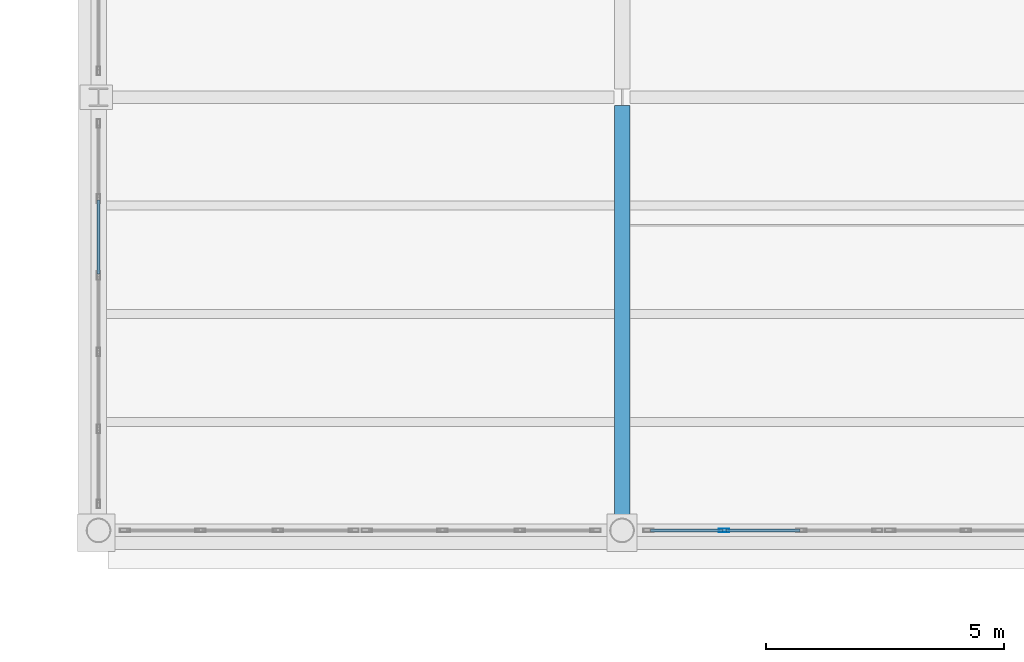
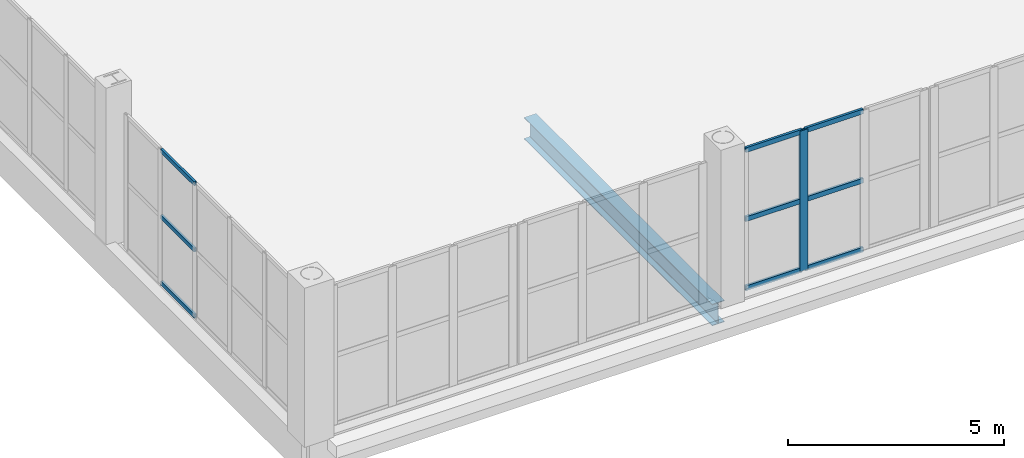
# One storey, part 18 of 156: 10 members, 1 beam, 2 elements without a shape of their own.
"""IFC4 building model written with IfcOpenShell, lengths in metres."""

from ifc_helpers import new_model, si_unit, direction, frame, origin, origin_2d, place, context, subcontext, project, spatial, hollow_rectangle, i_section, extrude, material, material_profile, profile_set, type_object, element, aggregate, save


model = new_model("IFC4")

# Units and contexts
model_context = context("Model", 3, precision=1e-05, world=origin(), true_north=direction((0.0, 1.0)))
body_context = subcontext(model_context, "Body", "Model", "MODEL_VIEW")
ifc_project = project(units=[si_unit("LENGTHUNIT", "METRE"), si_unit("AREAUNIT", "SQUARE_METRE"), si_unit("VOLUMEUNIT", "CUBIC_METRE"), si_unit("PLANEANGLEUNIT", "RADIAN"), si_unit("MASSUNIT", "GRAM", prefix="KILO")], contexts=[model_context])

# Site, building, storey
site_placement = place(None, origin())
site = spatial("IfcSite", under=ifc_project, at=site_placement, CompositionType="ELEMENT")
building_placement = place(site_placement, origin())
building = spatial("IfcBuilding", under=site, at=building_placement, Name="Caurita Quay Ferry Terminal", CompositionType="ELEMENT")
storey_placement = place(building_placement, frame((0.0, 0.0, 5.39990234375)))
storey = spatial("IfcBuildingStorey", under=building, at=storey_placement, Name="L01", CompositionType="ELEMENT", Elevation=5.39990234375)

# Beam
ifc_material_1 = material(Name="Structural steel ASTM A992 Gr. 50", Category="steel")
ifc_material_profile_1 = material_profile(ifc_material_1, i_section(OverallWidth=0.3251953125, OverallDepth=0.612060546875, WebThickness=0.0126953125, FlangeThickness=0.01904296875, FilletRadius=0.01513671875, at=origin_2d()), Name="W24X104")
ifc_profile_set_1 = profile_set([ifc_material_profile_1], Name="Structural steel ASTM A992 Gr. 50")
beam_type = type_object("IfcBeamType", Name="BM-GR-W24A", PredefinedType="BEAM", material=ifc_profile_set_1)
beam_placement = place(storey_placement, frame((11.0, 34.81591796875, -0.60595703125), z_axis=(0.0, 1.0, 0.0), x_axis=(-1.0, 0.0, 0.0)))
element("IfcBeam", 1, at=beam_placement, inside=storey, type_object=beam_type, Name="L01 Beam BM-V1-L01-Y-110-348", PredefinedType="BEAM", context=body_context, shape_type="SweptSolid", body=[
    extrude(i_section(OverallWidth=0.3251953125, OverallDepth=0.612060546875, WebThickness=0.0126953125, FlangeThickness=0.01904296875, FilletRadius=0.01513671875, at=origin_2d()), origin(), (0.0, 0.0, 1.0), 8.714599609375),
])

# Curtain wall, member
ifc_material_2 = material(Name="Laminated solar-control insulated glass", Category="glass")
curtain_wall_type_1 = type_object("IfcCurtainWallType", Name="CW-SYS-08", PredefinedType="NOTDEFINED", material=ifc_material_2)
curtain_wall_1_placement = place(storey_placement, origin())
curtain_wall_1 = element("IfcCurtainWall", 2, at=curtain_wall_1_placement, inside=storey, type_object=curtain_wall_type_1, Name="V1 Waterside Concourse Curtain Wall 051", PredefinedType="NOTDEFINED")
ifc_material_3 = material(Name="Anodized aluminium 6063-T6", Category="aluminium")
ifc_material_profile_2 = material_profile(ifc_material_3, hollow_rectangle(XDim=0.074951171875, YDim=0.219970703125, WallThickness=0.00390625, at=origin_2d()), Name="ALU-MUL-75X220")
ifc_profile_set_2 = profile_set([ifc_material_profile_2], Name="Anodized aluminium 6063-T6")
member_type_1 = type_object("IfcMemberType", Name="CW-MUL-220", PredefinedType="MULLION", material=ifc_profile_set_2)
member_1_placement = place(storey_placement, frame((13.146728515625, 34.60009765625, 0.0), z_axis=(0.0, 0.0, 1.0), x_axis=(0.0, 1.0, 0.0)))
member_1 = element("IfcMember", 3, at=member_1_placement, type_object=member_type_1, Name="CW-SEA-051 Mullion 2", PredefinedType="MULLION", context=body_context, shape_type="SweptSolid", body=[
    extrude(hollow_rectangle(XDim=0.074951171875, YDim=0.219970703125, WallThickness=0.00390625, at=origin_2d()), origin(), (0.0, 0.0, 1.0), 3.97021484375),
])

# Curtain wall, members
curtain_wall_type_2 = type_object("IfcCurtainWallType", Name="CW-SYS-11", PredefinedType="NOTDEFINED", material=ifc_material_2)
curtain_wall_2_placement = place(storey_placement, origin())
curtain_wall_2 = element("IfcCurtainWall", 4, at=curtain_wall_2_placement, inside=storey, type_object=curtain_wall_type_2, Name="Concourse Gable Curtain Wall 077", PredefinedType="NOTDEFINED")
ifc_material_profile_3 = material_profile(ifc_material_3, hollow_rectangle(XDim=0.06005859375, YDim=0.114990234375, WallThickness=0.00341796875, at=origin_2d()), Name="ALU-TRN-60X115")
ifc_profile_set_3 = profile_set([ifc_material_profile_3], Name="Anodized aluminium 6063-T6")
member_type_2 = type_object("IfcMemberType", Name="CW-TRN-115", PredefinedType="USERDEFINED", material=ifc_profile_set_3)
member_2_placement = place(storey_placement, frame((0.0, 39.986572265625, 0.030029296875), z_axis=(0.0, 1.0, 0.0), x_axis=(-1.0, 0.0, 0.0)))
member_2 = element("IfcMember", 5, at=member_2_placement, type_object=member_type_2, Name="CW-GBL-077 Transom 10", ObjectType="TRANSOM", PredefinedType="USERDEFINED", context=body_context, shape_type="SweptSolid", body=[
    extrude(hollow_rectangle(XDim=0.06005859375, YDim=0.114990234375, WallThickness=0.00341796875, at=origin_2d()), origin(), (0.0, 0.0, 1.0), 1.551025390625),
])
member_3_placement = place(storey_placement, frame((0.0, 39.986572265625, 1.900146484375), z_axis=(0.0, 1.0, 0.0), x_axis=(-1.0, 0.0, 0.0)))
member_3 = element("IfcMember", 6, at=member_3_placement, type_object=member_type_2, Name="CW-GBL-077 Transom 11", ObjectType="TRANSOM", PredefinedType="USERDEFINED", context=body_context, shape_type="SweptSolid", body=[
    extrude(hollow_rectangle(XDim=0.06005859375, YDim=0.114990234375, WallThickness=0.00341796875, at=origin_2d()), origin(), (0.0, 0.0, 1.0), 1.551025390625),
])
member_4_placement = place(storey_placement, frame((0.0, 39.986572265625, 3.77001953125), z_axis=(0.0, 1.0, 0.0), x_axis=(-1.0, 0.0, 0.0)))
member_4 = element("IfcMember", 7, at=member_4_placement, type_object=member_type_2, Name="CW-GBL-077 Transom 12", ObjectType="TRANSOM", PredefinedType="USERDEFINED", context=body_context, shape_type="SweptSolid", body=[
    extrude(hollow_rectangle(XDim=0.06005859375, YDim=0.114990234375, WallThickness=0.00341796875, at=origin_2d()), origin(), (0.0, 0.0, 1.0), 1.551025390625),
])
aggregate(curtain_wall_2, [member_2, member_3, member_4])

# Member
ifc_material_profile_4 = material_profile(ifc_material_3, hollow_rectangle(XDim=0.06494140625, YDim=0.135009765625, WallThickness=0.00341796875, at=origin_2d()), Name="ALU-TRN-65X135")
ifc_profile_set_4 = profile_set([ifc_material_profile_4], Name="Anodized aluminium 6063-T6")
member_type_3 = type_object("IfcMemberType", Name="CW-TRN-135", PredefinedType="USERDEFINED", material=ifc_profile_set_4)
member_5_placement = place(storey_placement, frame((11.593017578125, 34.60009765625, 0.03271484375), z_axis=(1.0, 0.0, 0.0), x_axis=(0.0, 1.0, 0.0)))
member_5 = element("IfcMember", 8, at=member_5_placement, type_object=member_type_3, Name="CW-SEA-051 Transom 1", ObjectType="TRANSOM", PredefinedType="USERDEFINED", context=body_context, shape_type="SweptSolid", body=[
    extrude(hollow_rectangle(XDim=0.06494140625, YDim=0.135009765625, WallThickness=0.00341796875, at=origin_2d()), origin(), (0.0, 0.0, 1.0), 1.51806640625),
])

member_6_placement = place(storey_placement, frame((11.593017578125, 34.60009765625, 1.985107421875), z_axis=(1.0, 0.0, 0.0), x_axis=(0.0, 1.0, 0.0)))
member_6 = element("IfcMember", 9, at=member_6_placement, type_object=member_type_3, Name="CW-SEA-051 Transom 2", ObjectType="TRANSOM", PredefinedType="USERDEFINED", context=body_context, shape_type="SweptSolid", body=[
    extrude(hollow_rectangle(XDim=0.06494140625, YDim=0.135009765625, WallThickness=0.00341796875, at=origin_2d()), origin(), (0.0, 0.0, 1.0), 1.51806640625),
])

member_7_placement = place(storey_placement, frame((11.593017578125, 34.60009765625, 3.9375), z_axis=(1.0, 0.0, 0.0), x_axis=(0.0, 1.0, 0.0)))
member_7 = element("IfcMember", 10, at=member_7_placement, type_object=member_type_3, Name="CW-SEA-051 Transom 3", ObjectType="TRANSOM", PredefinedType="USERDEFINED", context=body_context, shape_type="SweptSolid", body=[
    extrude(hollow_rectangle(XDim=0.06494140625, YDim=0.135009765625, WallThickness=0.00341796875, at=origin_2d()), origin(), (0.0, 0.0, 1.0), 1.51806640625),
])

member_8_placement = place(storey_placement, frame((13.18212890625, 34.60009765625, 0.03271484375), z_axis=(1.0, 0.0, 0.0), x_axis=(0.0, 1.0, 0.0)))
member_8 = element("IfcMember", 11, at=member_8_placement, type_object=member_type_3, Name="CW-SEA-051 Transom 4", ObjectType="TRANSOM", PredefinedType="USERDEFINED", context=body_context, shape_type="SweptSolid", body=[
    extrude(hollow_rectangle(XDim=0.06494140625, YDim=0.135009765625, WallThickness=0.00341796875, at=origin_2d()), origin(), (0.0, 0.0, 1.0), 1.5556640625),
])

member_9_placement = place(storey_placement, frame((13.18212890625, 34.60009765625, 1.985107421875), z_axis=(1.0, 0.0, 0.0), x_axis=(0.0, 1.0, 0.0)))
member_9 = element("IfcMember", 12, at=member_9_placement, type_object=member_type_3, Name="CW-SEA-051 Transom 5", ObjectType="TRANSOM", PredefinedType="USERDEFINED", context=body_context, shape_type="SweptSolid", body=[
    extrude(hollow_rectangle(XDim=0.06494140625, YDim=0.135009765625, WallThickness=0.00341796875, at=origin_2d()), origin(), (0.0, 0.0, 1.0), 1.5556640625),
])

member_10_placement = place(storey_placement, frame((13.18212890625, 34.60009765625, 3.9375), z_axis=(1.0, 0.0, 0.0), x_axis=(0.0, 1.0, 0.0)))
member_10 = element("IfcMember", 13, at=member_10_placement, type_object=member_type_3, Name="CW-SEA-051 Transom 6", ObjectType="TRANSOM", PredefinedType="USERDEFINED", context=body_context, shape_type="SweptSolid", body=[
    extrude(hollow_rectangle(XDim=0.06494140625, YDim=0.135009765625, WallThickness=0.00341796875, at=origin_2d()), origin(), (0.0, 0.0, 1.0), 1.5556640625),
])

aggregate(curtain_wall_1, [member_1, member_5, member_6, member_7, member_8, member_9, member_10])

save(model, "model.ifc")
